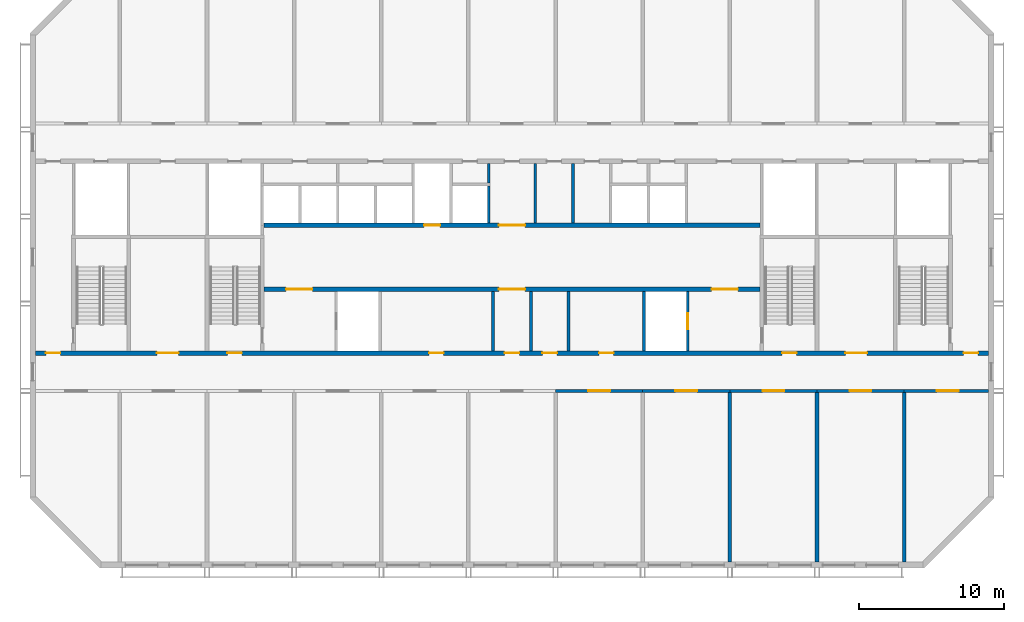
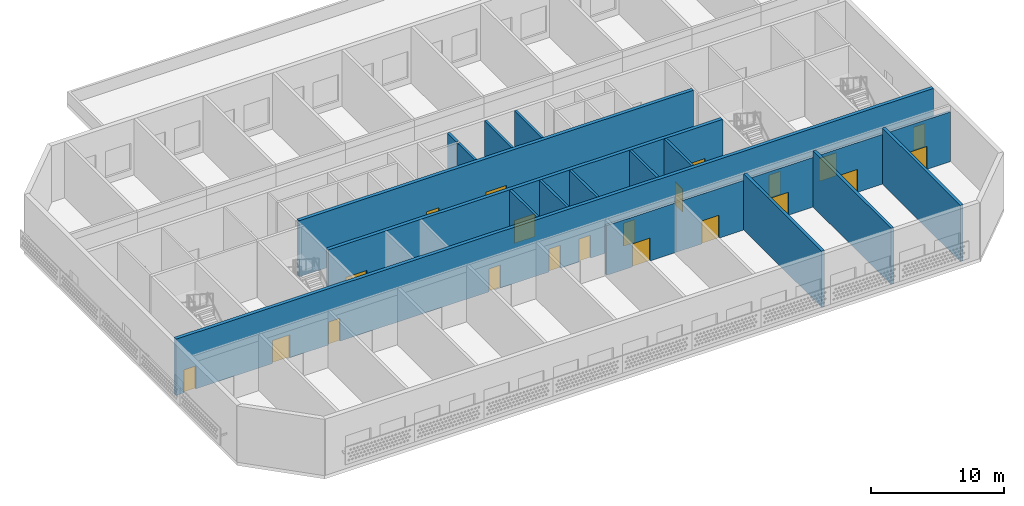
# One storey, part 4 of 18: 21 doors, 20 walls, 21 openings.
"""IFC4 building model written with IfcOpenShell, lengths in metres."""

from ifc_helpers import new_model, si_unit, direction, frame, frame_2d, origin, place, context, subcontext, project, spatial, rectangle, extrude, material, layer, layer_set, type_object, element, fill, save


model = new_model("IFC4")

# Units and contexts
model_context = context("Model", 3, precision=1e-05, world=origin(), true_north=direction((0.0, 1.0)))
body_context = subcontext(model_context, "Body", "Model", "MODEL_VIEW")
ifc_project = project(units=[si_unit("LENGTHUNIT", "METRE"), si_unit("AREAUNIT", "SQUARE_METRE"), si_unit("VOLUMEUNIT", "CUBIC_METRE"), si_unit("PLANEANGLEUNIT", "RADIAN"), si_unit("MASSUNIT", "GRAM", prefix="KILO")], contexts=[model_context])

# Site, building, storey
site_placement = place(None, origin())
site = spatial("IfcSite", under=ifc_project, at=site_placement, CompositionType="ELEMENT")
building_placement = place(site_placement, origin())
building = spatial("IfcBuilding", under=site, at=building_placement, Name="Poui Terraces", CompositionType="ELEMENT")
storey_placement = place(building_placement, frame((0.0, 0.0, 267.0)))
storey = spatial("IfcBuildingStorey", under=building, at=storey_placement, Name="L74", CompositionType="ELEMENT", Elevation=267.0)

# Wall, openings, doors
ifc_material_1 = material(Name="Concrete 50 MPa", Category="concrete")
ifc_layer_1 = layer(ifc_material_1, 0.300048828125)
ifc_layer_set_1 = layer_set([ifc_layer_1], Name="Concrete 50 MPa")
wall_type_1 = type_object("IfcWallType", Name="CORE WALL 300 50 MPA", PredefinedType="SOLIDWALL", material=ifc_layer_set_1)
wall_1_placement = place(storey_placement, frame((33.925048828125, 19.0, 0.0), z_axis=(0.0, 0.0, 1.0), x_axis=(1.0, 0.0, 0.0)))
wall_1 = element("IfcWall", 1, at=wall_1_placement, inside=storey, type_object=wall_type_1, Name="CORE WALL", PredefinedType="SOLIDWALL", context=body_context, shape_type="SweptSolid", body=[
    extrude(rectangle(XDim=34.14990234375, YDim=0.300048828125, at=frame_2d((17.074951171875, 0.0))), origin(), (0.0, 0.0, 1.0), 5.14990234375),
])
opening_1_placement = place(wall_1_placement, frame((16.175048828125, 0.0, 0.0)))
opening_1 = element("IfcOpeningElement", 2, at=opening_1_placement, cuts=wall_1, Name="Opening FDD60", PredefinedType="OPENING", context=body_context, shape_type="SweptSolid", body=[
    extrude(rectangle(XDim=1.800048828125, YDim=2.10009765625, at=frame_2d((0.89990234375, 1.050048828125))), frame((0.0, 0.16015625, 0.0), z_axis=(0.0, -1.0, 0.0), x_axis=(1.0, 0.0, 0.0)), (0.0, 0.0, 1.0), 0.320068359375),
])
opening_2_placement = place(wall_1_placement, frame((1.52490234375, 0.0, 0.0)))
opening_2 = element("IfcOpeningElement", 3, at=opening_2_placement, cuts=wall_1, Name="Opening FDD60", PredefinedType="OPENING", context=body_context, shape_type="SweptSolid", body=[
    extrude(rectangle(XDim=1.800048828125, YDim=2.10009765625, at=frame_2d((0.89990234375, 1.050048828125))), frame((0.0, 0.16015625, 0.0), z_axis=(0.0, -1.0, 0.0), x_axis=(1.0, 0.0, 0.0)), (0.0, 0.0, 1.0), 0.320068359375),
])
opening_3_placement = place(wall_1_placement, frame((30.824951171875, 0.0, 0.0)))
opening_3 = element("IfcOpeningElement", 4, at=opening_3_placement, cuts=wall_1, Name="Opening FDD60", PredefinedType="OPENING", context=body_context, shape_type="SweptSolid", body=[
    extrude(rectangle(XDim=1.800048828125, YDim=2.10009765625, at=frame_2d((0.89990234375, 1.050048828125))), frame((0.0, 0.16015625, 0.0), z_axis=(0.0, -1.0, 0.0), x_axis=(1.0, 0.0, 0.0)), (0.0, 0.0, 1.0), 0.320068359375),
])
ifc_material_2 = material(Name="Steel fire door", Category="steel")
door_type_1 = type_object("IfcDoorType", Name="DOUBLE LOBBY FIRE DOOR 1800 X 2100", OperationType="DOUBLE_DOOR_SINGLE_SWING", PredefinedType="DOOR", material=ifc_material_2)
door_1_placement = place(opening_1_placement, frame((1.800048828125, 0.0, 0.0), z_axis=(0.0, 0.0, 1.0), x_axis=(-1.0, 0.0, 0.0)))
door_1 = element("IfcDoor", 5, at=door_1_placement, inside=storey, type_object=door_type_1, Name="DOUBLE LOBBY FIRE DOOR 055", OperationType="DOUBLE_DOOR_SINGLE_SWING", OverallHeight=2.10009765625, OverallWidth=1.800048828125, PredefinedType="DOOR", context=body_context, shape_type="SweptSolid", body=[
    extrude(rectangle(XDim=1.800048828125, YDim=2.10009765625, at=frame_2d((0.89990234375, 1.050048828125))), frame((0.0, 0.02490234375, 0.0), z_axis=(0.0, -1.0, 0.0), x_axis=(1.0, 0.0, 0.0)), (0.0, 0.0, 1.0), 0.050048828125),
])
fill(opening_1, door_1)
door_2_placement = place(opening_2_placement, origin())
door_2 = element("IfcDoor", 6, at=door_2_placement, inside=storey, type_object=door_type_1, Name="DOUBLE LOBBY FIRE DOOR 056", OperationType="DOUBLE_DOOR_SINGLE_SWING", OverallHeight=2.10009765625, OverallWidth=1.800048828125, PredefinedType="DOOR", context=body_context, shape_type="SweptSolid", body=[
    extrude(rectangle(XDim=1.800048828125, YDim=2.10009765625, at=frame_2d((0.89990234375, 1.050048828125))), frame((0.0, 0.02490234375, 0.0), z_axis=(0.0, -1.0, 0.0), x_axis=(1.0, 0.0, 0.0)), (0.0, 0.0, 1.0), 0.050048828125),
])
fill(opening_2, door_2)
door_3_placement = place(opening_3_placement, origin())
door_3 = element("IfcDoor", 7, at=door_3_placement, inside=storey, type_object=door_type_1, Name="DOUBLE LOBBY FIRE DOOR 058", OperationType="DOUBLE_DOOR_SINGLE_SWING", OverallHeight=2.10009765625, OverallWidth=1.800048828125, PredefinedType="DOOR", context=body_context, shape_type="SweptSolid", body=[
    extrude(rectangle(XDim=1.800048828125, YDim=2.10009765625, at=frame_2d((0.89990234375, 1.050048828125))), frame((0.0, 0.02490234375, 0.0), z_axis=(0.0, -1.0, 0.0), x_axis=(1.0, 0.0, 0.0)), (0.0, 0.0, 1.0), 0.050048828125),
])
fill(opening_3, door_3)

wall_2_placement = place(storey_placement, frame((33.925048828125, 23.39990234375, 0.0), z_axis=(0.0, 0.0, 1.0), x_axis=(1.0, 0.0, 0.0)))
wall_2 = element("IfcWall", 8, at=wall_2_placement, inside=storey, type_object=wall_type_1, Name="CORE WALL", PredefinedType="SOLIDWALL", context=body_context, shape_type="SweptSolid", body=[
    extrude(rectangle(XDim=34.14990234375, YDim=0.300048828125, at=frame_2d((17.074951171875, 0.0))), origin(), (0.0, 0.0, 1.0), 5.14990234375),
])
opening_4_placement = place(wall_2_placement, frame((16.175048828125, 0.0, 0.0)))
opening_4 = element("IfcOpeningElement", 9, at=opening_4_placement, cuts=wall_2, Name="Opening FDD60", PredefinedType="OPENING", context=body_context, shape_type="SweptSolid", body=[
    extrude(rectangle(XDim=1.800048828125, YDim=2.10009765625, at=frame_2d((0.89990234375, 1.050048828125))), frame((0.0, 0.16015625, 0.0), z_axis=(0.0, -1.0, 0.0), x_axis=(1.0, 0.0, 0.0)), (0.0, 0.0, 1.0), 0.320068359375),
])
opening_5_placement = place(wall_2_placement, frame((11.02490234375, 0.0, 0.0)))
opening_5 = element("IfcOpeningElement", 10, at=opening_5_placement, cuts=wall_2, Name="Opening LD", PredefinedType="OPENING", context=body_context, shape_type="SweptSolid", body=[
    extrude(rectangle(XDim=1.10009765625, YDim=2.10009765625, at=frame_2d((0.550048828125, 1.050048828125))), frame((0.0, 0.16015625, 0.0), z_axis=(0.0, -1.0, 0.0), x_axis=(1.0, 0.0, 0.0)), (0.0, 0.0, 1.0), 0.320068359375),
])
door_4_placement = place(opening_4_placement, origin())
door_4 = element("IfcDoor", 11, at=door_4_placement, inside=storey, type_object=door_type_1, Name="DOUBLE LOBBY FIRE DOOR 054", OperationType="DOUBLE_DOOR_SINGLE_SWING", OverallHeight=2.10009765625, OverallWidth=1.800048828125, PredefinedType="DOOR", context=body_context, shape_type="SweptSolid", body=[
    extrude(rectangle(XDim=1.800048828125, YDim=2.10009765625, at=frame_2d((0.89990234375, 1.050048828125))), frame((0.0, 0.02490234375, 0.0), z_axis=(0.0, -1.0, 0.0), x_axis=(1.0, 0.0, 0.0)), (0.0, 0.0, 1.0), 0.050048828125),
])
fill(opening_4, door_4)
ifc_material_3 = material(Name="Stainless steel sliding door", Category="steel")
door_type_2 = type_object("IfcDoorType", Name="LIFT LANDING DOOR 1100 X 2100", OperationType="DOUBLE_DOOR_SLIDING", PredefinedType="DOOR", material=ifc_material_3)
door_5_placement = place(opening_5_placement, origin())
door_5 = element("IfcDoor", 12, at=door_5_placement, inside=storey, type_object=door_type_2, Name="LANDING DOOR", OperationType="DOUBLE_DOOR_SLIDING", OverallHeight=2.10009765625, OverallWidth=1.10009765625, PredefinedType="DOOR", context=body_context, shape_type="SweptSolid", body=[
    extrude(rectangle(XDim=1.10009765625, YDim=2.10009765625, at=frame_2d((0.550048828125, 1.050048828125))), frame((0.0, 0.02490234375, 0.0), z_axis=(0.0, -1.0, 0.0), x_axis=(1.0, 0.0, 0.0)), (0.0, 0.0, 1.0), 0.050048828125),
])
fill(opening_5, door_5)

# Wall, opening, door
ifc_layer_2 = layer(ifc_material_1, 0.199951171875)
ifc_layer_set_2 = layer_set([ifc_layer_2], Name="Concrete 50 MPa")
wall_type_2 = type_object("IfcWallType", Name="CORRIDOR WALL 200 50MPa", PredefinedType="SHEAR", material=ifc_layer_set_2)
wall_3_placement = place(storey_placement, frame((54.0, 12.0, 0.0), z_axis=(0.0, 0.0, 1.0), x_axis=(1.0, 0.0, 0.0)))
wall_3 = element("IfcWall", 13, at=wall_3_placement, inside=storey, type_object=wall_type_2, Name="CORRIDOR WALL LINE B BAY 7", PredefinedType="SHEAR", context=body_context, shape_type="SweptSolid", body=[
    extrude(rectangle(XDim=6.0, YDim=0.199951171875, at=frame_2d((3.0, 0.0))), origin(), (0.0, 0.0, 1.0), 4.550048828125),
])
opening_6_placement = place(wall_3_placement, frame((2.25, 0.0, 0.0)))
opening_6 = element("IfcOpeningElement", 14, at=opening_6_placement, cuts=wall_3, Name="Opening FDP", PredefinedType="OPENING", context=body_context, shape_type="SweptSolid", body=[
    extrude(rectangle(XDim=1.5, YDim=2.10009765625, at=frame_2d((0.75, 1.050048828125))), frame((0.0, 0.10986328125, 0.0), z_axis=(0.0, -1.0, 0.0), x_axis=(1.0, 0.0, 0.0)), (0.0, 0.0, 1.0), 0.219970703125),
])
door_type_3 = type_object("IfcDoorType", Name="PLANT ROOM DOOR PAIR 1500 X 2100", OperationType="DOUBLE_DOOR_SINGLE_SWING", PredefinedType="DOOR", material=ifc_material_2)
door_6_placement = place(opening_6_placement, origin())
door_6 = element("IfcDoor", 15, at=door_6_placement, inside=storey, type_object=door_type_3, Name="PLANT ROOM DOOR PAIR 041", OperationType="DOUBLE_DOOR_SINGLE_SWING", OverallHeight=2.10009765625, OverallWidth=1.5, PredefinedType="DOOR", context=body_context, shape_type="SweptSolid", body=[
    extrude(rectangle(XDim=1.5, YDim=2.10009765625, at=frame_2d((0.75, 1.050048828125))), frame((0.0, 0.02490234375, 0.0), z_axis=(0.0, -1.0, 0.0), x_axis=(1.0, 0.0, 0.0)), (0.0, 0.0, 1.0), 0.050048828125),
])
fill(opening_6, door_6)

wall_4_placement = place(storey_placement, frame((60.0, 12.0, 0.0), z_axis=(0.0, 0.0, 1.0), x_axis=(1.0, 0.0, 0.0)))
wall_4 = element("IfcWall", 16, at=wall_4_placement, inside=storey, type_object=wall_type_2, Name="CORRIDOR WALL LINE B BAY 8", PredefinedType="SHEAR", context=body_context, shape_type="SweptSolid", body=[
    extrude(rectangle(XDim=6.0, YDim=0.199951171875, at=frame_2d((3.0, 0.0))), origin(), (0.0, 0.0, 1.0), 4.550048828125),
])
opening_7_placement = place(wall_4_placement, frame((2.25, 0.0, 0.0)))
opening_7 = element("IfcOpeningElement", 17, at=opening_7_placement, cuts=wall_4, Name="Opening FDP", PredefinedType="OPENING", context=body_context, shape_type="SweptSolid", body=[
    extrude(rectangle(XDim=1.5, YDim=2.10009765625, at=frame_2d((0.75, 1.050048828125))), frame((0.0, 0.10986328125, 0.0), z_axis=(0.0, -1.0, 0.0), x_axis=(1.0, 0.0, 0.0)), (0.0, 0.0, 1.0), 0.219970703125),
])
door_7_placement = place(opening_7_placement, origin())
door_7 = element("IfcDoor", 18, at=door_7_placement, inside=storey, type_object=door_type_3, Name="PLANT ROOM DOOR PAIR 043", OperationType="DOUBLE_DOOR_SINGLE_SWING", OverallHeight=2.10009765625, OverallWidth=1.5, PredefinedType="DOOR", context=body_context, shape_type="SweptSolid", body=[
    extrude(rectangle(XDim=1.5, YDim=2.10009765625, at=frame_2d((0.75, 1.050048828125))), frame((0.0, 0.02490234375, 0.0), z_axis=(0.0, -1.0, 0.0), x_axis=(1.0, 0.0, 0.0)), (0.0, 0.0, 1.0), 0.050048828125),
])
fill(opening_7, door_7)

wall_5_placement = place(storey_placement, frame((66.0, 12.0, 0.0), z_axis=(0.0, 0.0, 1.0), x_axis=(1.0, 0.0, 0.0)))
wall_5 = element("IfcWall", 19, at=wall_5_placement, inside=storey, type_object=wall_type_2, Name="CORRIDOR WALL LINE B BAY 9", PredefinedType="SHEAR", context=body_context, shape_type="SweptSolid", body=[
    extrude(rectangle(XDim=6.0, YDim=0.199951171875, at=frame_2d((3.0, 0.0))), origin(), (0.0, 0.0, 1.0), 4.550048828125),
])
opening_8_placement = place(wall_5_placement, frame((2.25, 0.0, 0.0)))
opening_8 = element("IfcOpeningElement", 20, at=opening_8_placement, cuts=wall_5, Name="Opening FDP", PredefinedType="OPENING", context=body_context, shape_type="SweptSolid", body=[
    extrude(rectangle(XDim=1.5, YDim=2.10009765625, at=frame_2d((0.75, 1.050048828125))), frame((0.0, 0.10986328125, 0.0), z_axis=(0.0, -1.0, 0.0), x_axis=(1.0, 0.0, 0.0)), (0.0, 0.0, 1.0), 0.219970703125),
])
door_8_placement = place(opening_8_placement, origin())
door_8 = element("IfcDoor", 21, at=door_8_placement, inside=storey, type_object=door_type_3, Name="PLANT ROOM DOOR PAIR 044", OperationType="DOUBLE_DOOR_SINGLE_SWING", OverallHeight=2.10009765625, OverallWidth=1.5, PredefinedType="DOOR", context=body_context, shape_type="SweptSolid", body=[
    extrude(rectangle(XDim=1.5, YDim=2.10009765625, at=frame_2d((0.75, 1.050048828125))), frame((0.0, 0.02490234375, 0.0), z_axis=(0.0, -1.0, 0.0), x_axis=(1.0, 0.0, 0.0)), (0.0, 0.0, 1.0), 0.050048828125),
])
fill(opening_8, door_8)

wall_6_placement = place(storey_placement, frame((72.0, 12.0, 0.0), z_axis=(0.0, 0.0, 1.0), x_axis=(1.0, 0.0, 0.0)))
wall_6 = element("IfcWall", 22, at=wall_6_placement, inside=storey, type_object=wall_type_2, Name="CORRIDOR WALL LINE B BAY 10", PredefinedType="SHEAR", context=body_context, shape_type="SweptSolid", body=[
    extrude(rectangle(XDim=6.0, YDim=0.199951171875, at=frame_2d((3.0, 0.0))), origin(), (0.0, 0.0, 1.0), 4.550048828125),
])
opening_9_placement = place(wall_6_placement, frame((2.25, 0.0, 0.0)))
opening_9 = element("IfcOpeningElement", 23, at=opening_9_placement, cuts=wall_6, Name="Opening FDP", PredefinedType="OPENING", context=body_context, shape_type="SweptSolid", body=[
    extrude(rectangle(XDim=1.5, YDim=2.10009765625, at=frame_2d((0.75, 1.050048828125))), frame((0.0, 0.10986328125, 0.0), z_axis=(0.0, -1.0, 0.0), x_axis=(1.0, 0.0, 0.0)), (0.0, 0.0, 1.0), 0.219970703125),
])
door_9_placement = place(opening_9_placement, origin())
door_9 = element("IfcDoor", 24, at=door_9_placement, inside=storey, type_object=door_type_3, Name="PLANT ROOM DOOR PAIR 047", OperationType="DOUBLE_DOOR_SINGLE_SWING", OverallHeight=2.10009765625, OverallWidth=1.5, PredefinedType="DOOR", context=body_context, shape_type="SweptSolid", body=[
    extrude(rectangle(XDim=1.5, YDim=2.10009765625, at=frame_2d((0.75, 1.050048828125))), frame((0.0, 0.02490234375, 0.0), z_axis=(0.0, -1.0, 0.0), x_axis=(1.0, 0.0, 0.0)), (0.0, 0.0, 1.0), 0.050048828125),
])
fill(opening_9, door_9)

wall_7_placement = place(storey_placement, frame((78.0, 12.0, 0.0), z_axis=(0.0, 0.0, 1.0), x_axis=(1.0, 0.0, 0.0)))
wall_7 = element("IfcWall", 25, at=wall_7_placement, inside=storey, type_object=wall_type_2, Name="CORRIDOR WALL LINE B BAY 11", PredefinedType="SHEAR", context=body_context, shape_type="SweptSolid", body=[
    extrude(rectangle(XDim=5.800048828125, YDim=0.199951171875, at=frame_2d((2.89990234375, 0.0))), origin(), (0.0, 0.0, 1.0), 4.550048828125),
])
opening_10_placement = place(wall_7_placement, frame((2.25, 0.0, 0.0)))
opening_10 = element("IfcOpeningElement", 26, at=opening_10_placement, cuts=wall_7, Name="Opening FDP", PredefinedType="OPENING", context=body_context, shape_type="SweptSolid", body=[
    extrude(rectangle(XDim=1.5, YDim=2.10009765625, at=frame_2d((0.75, 1.050048828125))), frame((0.0, 0.10986328125, 0.0), z_axis=(0.0, -1.0, 0.0), x_axis=(1.0, 0.0, 0.0)), (0.0, 0.0, 1.0), 0.219970703125),
])
door_10_placement = place(opening_10_placement, origin())
door_10 = element("IfcDoor", 27, at=door_10_placement, inside=storey, type_object=door_type_3, Name="PLANT ROOM DOOR PAIR 048", OperationType="DOUBLE_DOOR_SINGLE_SWING", OverallHeight=2.10009765625, OverallWidth=1.5, PredefinedType="DOOR", context=body_context, shape_type="SweptSolid", body=[
    extrude(rectangle(XDim=1.5, YDim=2.10009765625, at=frame_2d((0.75, 1.050048828125))), frame((0.0, 0.02490234375, 0.0), z_axis=(0.0, -1.0, 0.0), x_axis=(1.0, 0.0, 0.0)), (0.0, 0.0, 1.0), 0.050048828125),
])
fill(opening_10, door_10)

# Walls
ifc_layer_3 = layer(ifc_material_1, 0.25)
ifc_layer_set_3 = layer_set([ifc_layer_3], Name="Concrete 50 MPa")
wall_type_3 = type_object("IfcWallType", Name="CROSS WALL 250 50MPa", PredefinedType="SHEAR", material=ifc_layer_set_3)
for number, where, z_axis, x_axis, name in (
    (28, (66.0, 0.199951171875, 0.0), (0.0, 0.0, 1.0), (0.0, 1.0, 0.0), "CROSS WALL LINE 12 SOUTH"),
    (29, (72.0, 0.199951171875, 0.0), (0.0, 0.0, 1.0), (0.0, 1.0, 0.0), "CROSS WALL LINE 13 SOUTH"),
    (30, (78.0, 0.199951171875, 0.0), (0.0, 0.0, 1.0), (0.0, 1.0, 0.0), "CROSS WALL LINE 14 SOUTH"),
):
    element("IfcWall", number, at=place(storey_placement, frame(where, z_axis=z_axis, x_axis=x_axis)), inside=storey, type_object=wall_type_3, Name=name, PredefinedType="SHEAR", context=body_context, shape_type="SweptSolid", body=[
        extrude(rectangle(XDim=11.699951171875, YDim=0.25, at=frame_2d((5.85009765625, 0.0))), origin(), (0.0, 0.0, 1.0), 5.14990234375),
    ])
ifc_material_4 = material(Name="Fire-rated masonry wall", Category="masonry")
ifc_layer_4 = layer(ifc_material_4, 0.199951171875)
ifc_layer_set_4 = layer_set([ifc_layer_4], Name="Fire-rated masonry wall")
wall_type_4 = type_object("IfcWallType", Name="PLANT ROOM WALL 200", PredefinedType="PARTITIONING", material=ifc_layer_set_4)
wall_8_placement = place(storey_placement, frame((49.39990234375, 26.300048828125, 0.0), z_axis=(0.0, 0.0, 1.0), x_axis=(0.0, 1.0, 0.0)))
element("IfcWall", 31, at=wall_8_placement, inside=storey, type_object=wall_type_4, Name="PLANT ROOM WALL 200", PredefinedType="PARTITIONING", context=body_context, shape_type="SweptSolid", body=[
    extrude(rectangle(XDim=1.33984375, YDim=0.199951171875, at=frame_2d((0.669921875, 0.0))), origin(), (0.0, 0.0, 1.0), 5.14990234375),
])
for number, where, z_axis, x_axis, name in (
    (32, (49.699951171875, 14.760009765625, 0.0), (0.0, 0.0, 1.0), (0.0, 1.0, 0.0), "PLANT ROOM WALL 200"),
    (33, (52.300048828125, 14.760009765625, 0.0), (0.0, 0.0, 1.0), (0.0, 1.0, 0.0), "PLANT ROOM WALL 200"),
):
    element("IfcWall", number, at=place(storey_placement, frame(where, z_axis=z_axis, x_axis=x_axis)), inside=storey, type_object=wall_type_4, Name=name, PredefinedType="PARTITIONING", context=body_context, shape_type="SweptSolid", body=[
        extrude(rectangle(XDim=4.080078125, YDim=0.199951171875, at=frame_2d((2.0400390625, 0.0))), origin(), (0.0, 0.0, 1.0), 5.14990234375),
    ])
wall_9_placement = place(storey_placement, frame((52.60009765625, 23.56005859375, 0.0), z_axis=(0.0, 0.0, 1.0), x_axis=(0.0, 1.0, 0.0)))
element("IfcWall", 34, at=wall_9_placement, inside=storey, type_object=wall_type_4, Name="PLANT ROOM WALL 200", PredefinedType="PARTITIONING", context=body_context, shape_type="SweptSolid", body=[
    extrude(rectangle(XDim=4.079833984375, YDim=0.199951171875, at=frame_2d((2.0400390625, 0.0))), origin(), (0.0, 0.0, 1.0), 5.14990234375),
])
wall_10_placement = place(storey_placement, frame((54.89990234375, 14.760009765625, 0.0), z_axis=(0.0, 0.0, 1.0), x_axis=(0.0, 1.0, 0.0)))
element("IfcWall", 35, at=wall_10_placement, inside=storey, type_object=wall_type_4, Name="PLANT ROOM WALL 200", PredefinedType="PARTITIONING", context=body_context, shape_type="SweptSolid", body=[
    extrude(rectangle(XDim=4.080078125, YDim=0.199951171875, at=frame_2d((2.0400390625, 0.0))), origin(), (0.0, 0.0, 1.0), 5.14990234375),
])
wall_11_placement = place(storey_placement, frame((55.199951171875, 23.56005859375, 0.0), z_axis=(0.0, 0.0, 1.0), x_axis=(0.0, 1.0, 0.0)))
element("IfcWall", 36, at=wall_11_placement, inside=storey, type_object=wall_type_4, Name="PLANT ROOM WALL 200", PredefinedType="PARTITIONING", context=body_context, shape_type="SweptSolid", body=[
    extrude(rectangle(XDim=4.079833984375, YDim=0.199951171875, at=frame_2d((2.0400390625, 0.0))), origin(), (0.0, 0.0, 1.0), 5.14990234375),
])
ifc_material_5 = material(Name="Fire-rated masonry shaft wall", Category="masonry")
ifc_layer_5 = layer(ifc_material_5, 0.199951171875)
ifc_layer_set_5 = layer_set([ifc_layer_5], Name="Fire-rated masonry shaft wall")
wall_type_5 = type_object("IfcWallType", Name="SHAFT WALL 200", PredefinedType="PARTITIONING", material=ifc_layer_set_5)
wall_12_placement = place(storey_placement, frame((49.39990234375, 23.56005859375, 0.0), z_axis=(0.0, 0.0, 1.0), x_axis=(0.0, 1.0, 0.0)))
element("IfcWall", 37, at=wall_12_placement, inside=storey, type_object=wall_type_5, Name="SHAFT WALL 200", PredefinedType="PARTITIONING", context=body_context, shape_type="SweptSolid", body=[
    extrude(rectangle(XDim=2.5400390625, YDim=0.199951171875, at=frame_2d((1.27001953125, 0.0))), origin(), (0.0, 0.0, 1.0), 5.14990234375),
])
wall_13_placement = place(storey_placement, frame((60.10009765625, 14.760009765625, 0.0), z_axis=(0.0, 0.0, 1.0), x_axis=(0.0, 1.0, 0.0)))
element("IfcWall", 38, at=wall_13_placement, inside=storey, type_object=wall_type_5, Name="SHAFT WALL 200", PredefinedType="PARTITIONING", context=body_context, shape_type="SweptSolid", body=[
    extrude(rectangle(XDim=4.080078125, YDim=0.199951171875, at=frame_2d((2.0400390625, 0.0))), origin(), (0.0, 0.0, 1.0), 5.14990234375),
])

# Wall, opening, door
wall_14_placement = place(storey_placement, frame((63.10009765625, 14.760009765625, 0.0), z_axis=(0.0, 0.0, 1.0), x_axis=(0.0, 1.0, 0.0)))
wall_14 = element("IfcWall", 39, at=wall_14_placement, inside=storey, type_object=wall_type_5, Name="SHAFT WALL 200", PredefinedType="PARTITIONING", context=body_context, shape_type="SweptSolid", body=[
    extrude(rectangle(XDim=4.080078125, YDim=0.199951171875, at=frame_2d((2.0400390625, 0.0))), origin(), (0.0, 0.0, 1.0), 5.14990234375),
])
opening_11_placement = place(wall_14_placement, frame((1.489990234375, 0.0, 0.0)))
opening_11 = element("IfcOpeningElement", 40, at=opening_11_placement, cuts=wall_14, Name="Opening LD", PredefinedType="OPENING", context=body_context, shape_type="SweptSolid", body=[
    extrude(rectangle(XDim=1.10009765625, YDim=2.10009765625, at=frame_2d((0.550048828125, 1.050048828125))), frame((0.0, 0.10986328125, 0.0), z_axis=(0.0, -1.0, 0.0), x_axis=(1.0, 0.0, 0.0)), (0.0, 0.0, 1.0), 0.219970703125),
])
door_11_placement = place(opening_11_placement, origin())
door_11 = element("IfcDoor", 41, at=door_11_placement, inside=storey, type_object=door_type_2, Name="LANDING DOOR", OperationType="DOUBLE_DOOR_SLIDING", OverallHeight=2.10009765625, OverallWidth=1.10009765625, PredefinedType="DOOR", context=body_context, shape_type="SweptSolid", body=[
    extrude(rectangle(XDim=1.10009765625, YDim=2.10009765625, at=frame_2d((0.550048828125, 1.050048828125))), frame((0.0, 0.02490234375, 0.0), z_axis=(0.0, -1.0, 0.0), x_axis=(1.0, 0.0, 0.0)), (0.0, 0.0, 1.0), 0.050048828125),
])
fill(opening_11, door_11)

# Wall, openings, doors
ifc_layer_6 = layer(ifc_material_1, 0.300048828125)
ifc_layer_set_6 = layer_set([ifc_layer_6], Name="Concrete 50 MPa")
wall_type_6 = type_object("IfcWallType", Name="SPINE WALL 300 50 MPA", PredefinedType="SOLIDWALL", material=ifc_layer_set_6)
wall_15_placement = place(storey_placement, frame((18.199951171875, 14.60009765625, 0.0), z_axis=(0.0, 0.0, 1.0), x_axis=(1.0, 0.0, 0.0)))
wall_15 = element("IfcWall", 42, at=wall_15_placement, inside=storey, type_object=wall_type_6, Name="SPINE WALL", PredefinedType="SOLIDWALL", context=body_context, shape_type="SweptSolid", body=[
    extrude(rectangle(XDim=65.60009765625, YDim=0.300048828125, at=frame_2d((32.800048828125, 0.0))), origin(), (0.0, 0.0, 1.0), 5.14990234375),
])
opening_12_placement = place(wall_15_placement, frame((0.699951171875, 0.0, 0.0)))
opening_12 = element("IfcOpeningElement", 43, at=opening_12_placement, cuts=wall_15, Name="Opening FDL", PredefinedType="OPENING", context=body_context, shape_type="SweptSolid", body=[
    extrude(rectangle(XDim=1.0, YDim=2.10009765625, at=frame_2d((0.5, 1.050048828125))), frame((0.0, 0.16015625, 0.0), z_axis=(0.0, -1.0, 0.0), x_axis=(1.0, 0.0, 0.0)), (0.0, 0.0, 1.0), 0.320068359375),
])
opening_13_placement = place(wall_15_placement, frame((8.35009765625, 0.0, 0.0)))
opening_13 = element("IfcOpeningElement", 44, at=opening_13_placement, cuts=wall_15, Name="Opening FDP", PredefinedType="OPENING", context=body_context, shape_type="SweptSolid", body=[
    extrude(rectangle(XDim=1.5, YDim=2.10009765625, at=frame_2d((0.75, 1.050048828125))), frame((0.0, 0.16015625, 0.0), z_axis=(0.0, -1.0, 0.0), x_axis=(1.0, 0.0, 0.0)), (0.0, 0.0, 1.0), 0.320068359375),
])
opening_14_placement = place(wall_15_placement, frame((13.199951171875, 0.0, 0.0)))
opening_14 = element("IfcOpeningElement", 45, at=opening_14_placement, cuts=wall_15, Name="Opening FD60S", PredefinedType="OPENING", context=body_context, shape_type="SweptSolid", body=[
    extrude(rectangle(XDim=1.0, YDim=2.10009765625, at=frame_2d((0.5, 1.050048828125))), frame((0.0, 0.16015625, 0.0), z_axis=(0.0, -1.0, 0.0), x_axis=(1.0, 0.0, 0.0)), (0.0, 0.0, 1.0), 0.320068359375),
])
opening_15_placement = place(wall_15_placement, frame((27.10009765625, 0.0, 0.0)))
opening_15 = element("IfcOpeningElement", 46, at=opening_15_placement, cuts=wall_15, Name="Opening FD60", PredefinedType="OPENING", context=body_context, shape_type="SweptSolid", body=[
    extrude(rectangle(XDim=1.0, YDim=2.10009765625, at=frame_2d((0.5, 1.050048828125))), frame((0.0, 0.16015625, 0.0), z_axis=(0.0, -1.0, 0.0), x_axis=(1.0, 0.0, 0.0)), (0.0, 0.0, 1.0), 0.320068359375),
])
opening_16_placement = place(wall_15_placement, frame((32.300048828125, 0.0, 0.0)))
opening_16 = element("IfcOpeningElement", 47, at=opening_16_placement, cuts=wall_15, Name="Opening FDL", PredefinedType="OPENING", context=body_context, shape_type="SweptSolid", body=[
    extrude(rectangle(XDim=1.0, YDim=2.10009765625, at=frame_2d((0.5, 1.050048828125))), frame((0.0, 0.16015625, 0.0), z_axis=(0.0, -1.0, 0.0), x_axis=(1.0, 0.0, 0.0)), (0.0, 0.0, 1.0), 0.320068359375),
])
opening_17_placement = place(wall_15_placement, frame((34.89990234375, 0.0, 0.0)))
opening_17 = element("IfcOpeningElement", 48, at=opening_17_placement, cuts=wall_15, Name="Opening FD60", PredefinedType="OPENING", context=body_context, shape_type="SweptSolid", body=[
    extrude(rectangle(XDim=1.0, YDim=2.10009765625, at=frame_2d((0.5, 1.050048828125))), frame((0.0, 0.16015625, 0.0), z_axis=(0.0, -1.0, 0.0), x_axis=(1.0, 0.0, 0.0)), (0.0, 0.0, 1.0), 0.320068359375),
])
opening_18_placement = place(wall_15_placement, frame((38.800048828125, 0.0, 0.0)))
opening_18 = element("IfcOpeningElement", 49, at=opening_18_placement, cuts=wall_15, Name="Opening FD60", PredefinedType="OPENING", context=body_context, shape_type="SweptSolid", body=[
    extrude(rectangle(XDim=1.0, YDim=2.10009765625, at=frame_2d((0.5, 1.050048828125))), frame((0.0, 0.16015625, 0.0), z_axis=(0.0, -1.0, 0.0), x_axis=(1.0, 0.0, 0.0)), (0.0, 0.0, 1.0), 0.320068359375),
])
opening_19_placement = place(wall_15_placement, frame((51.39990234375, 0.0, 0.0)))
opening_19 = element("IfcOpeningElement", 50, at=opening_19_placement, cuts=wall_15, Name="Opening FD60S", PredefinedType="OPENING", context=body_context, shape_type="SweptSolid", body=[
    extrude(rectangle(XDim=1.0, YDim=2.10009765625, at=frame_2d((0.5, 1.050048828125))), frame((0.0, 0.16015625, 0.0), z_axis=(0.0, -1.0, 0.0), x_axis=(1.0, 0.0, 0.0)), (0.0, 0.0, 1.0), 0.320068359375),
])
opening_20_placement = place(wall_15_placement, frame((55.75, 0.0, 0.0)))
opening_20 = element("IfcOpeningElement", 51, at=opening_20_placement, cuts=wall_15, Name="Opening FDP", PredefinedType="OPENING", context=body_context, shape_type="SweptSolid", body=[
    extrude(rectangle(XDim=1.5, YDim=2.10009765625, at=frame_2d((0.75, 1.050048828125))), frame((0.0, 0.16015625, 0.0), z_axis=(0.0, -1.0, 0.0), x_axis=(1.0, 0.0, 0.0)), (0.0, 0.0, 1.0), 0.320068359375),
])
opening_21_placement = place(wall_15_placement, frame((63.89990234375, 0.0, 0.0)))
opening_21 = element("IfcOpeningElement", 52, at=opening_21_placement, cuts=wall_15, Name="Opening FDL", PredefinedType="OPENING", context=body_context, shape_type="SweptSolid", body=[
    extrude(rectangle(XDim=1.0, YDim=2.10009765625, at=frame_2d((0.5, 1.050048828125))), frame((0.0, 0.16015625, 0.0), z_axis=(0.0, -1.0, 0.0), x_axis=(1.0, 0.0, 0.0)), (0.0, 0.0, 1.0), 0.320068359375),
])
door_type_4 = type_object("IfcDoorType", Name="LOBBY FIRE DOOR 1000 X 2100", OperationType="NOTDEFINED", PredefinedType="DOOR", material=ifc_material_2)
door_12_placement = place(opening_12_placement, frame((1.0, 0.0, 0.0), z_axis=(0.0, 0.0, 1.0), x_axis=(-1.0, 0.0, 0.0)))
door_12 = element("IfcDoor", 53, at=door_12_placement, inside=storey, type_object=door_type_4, Name="LOBBY FIRE DOOR 029", OperationType="SINGLE_SWING_RIGHT", OverallHeight=2.10009765625, OverallWidth=1.0, PredefinedType="DOOR", context=body_context, shape_type="SweptSolid", body=[
    extrude(rectangle(XDim=1.0, YDim=2.10009765625, at=frame_2d((0.5, 1.050048828125))), frame((0.0, 0.02490234375, 0.0), z_axis=(0.0, -1.0, 0.0), x_axis=(1.0, 0.0, 0.0)), (0.0, 0.0, 1.0), 0.050048828125),
])
fill(opening_12, door_12)
door_13_placement = place(opening_16_placement, frame((1.0, 0.0, 0.0), z_axis=(0.0, 0.0, 1.0), x_axis=(-1.0, 0.0, 0.0)))
door_13 = element("IfcDoor", 54, at=door_13_placement, inside=storey, type_object=door_type_4, Name="LOBBY FIRE DOOR 039", OperationType="SINGLE_SWING_LEFT", OverallHeight=2.10009765625, OverallWidth=1.0, PredefinedType="DOOR", context=body_context, shape_type="SweptSolid", body=[
    extrude(rectangle(XDim=1.0, YDim=2.10009765625, at=frame_2d((0.5, 1.050048828125))), frame((0.0, 0.02490234375, 0.0), z_axis=(0.0, -1.0, 0.0), x_axis=(1.0, 0.0, 0.0)), (0.0, 0.0, 1.0), 0.050048828125),
])
fill(opening_16, door_13)
door_14_placement = place(opening_21_placement, frame((1.0, 0.0, 0.0), z_axis=(0.0, 0.0, 1.0), x_axis=(-1.0, 0.0, 0.0)))
door_14 = element("IfcDoor", 55, at=door_14_placement, inside=storey, type_object=door_type_4, Name="LOBBY FIRE DOOR 049", OperationType="SINGLE_SWING_LEFT", OverallHeight=2.10009765625, OverallWidth=1.0, PredefinedType="DOOR", context=body_context, shape_type="SweptSolid", body=[
    extrude(rectangle(XDim=1.0, YDim=2.10009765625, at=frame_2d((0.5, 1.050048828125))), frame((0.0, 0.02490234375, 0.0), z_axis=(0.0, -1.0, 0.0), x_axis=(1.0, 0.0, 0.0)), (0.0, 0.0, 1.0), 0.050048828125),
])
fill(opening_21, door_14)
door_15_placement = place(opening_13_placement, frame((1.5, 0.0, 0.0), z_axis=(0.0, 0.0, 1.0), x_axis=(-1.0, 0.0, 0.0)))
door_15 = element("IfcDoor", 56, at=door_15_placement, inside=storey, type_object=door_type_3, Name="PLANT ROOM DOOR PAIR 032", OperationType="DOUBLE_DOOR_SINGLE_SWING", OverallHeight=2.10009765625, OverallWidth=1.5, PredefinedType="DOOR", context=body_context, shape_type="SweptSolid", body=[
    extrude(rectangle(XDim=1.5, YDim=2.10009765625, at=frame_2d((0.75, 1.050048828125))), frame((0.0, 0.02490234375, 0.0), z_axis=(0.0, -1.0, 0.0), x_axis=(1.0, 0.0, 0.0)), (0.0, 0.0, 1.0), 0.050048828125),
])
fill(opening_13, door_15)
door_16_placement = place(opening_20_placement, frame((1.5, 0.0, 0.0), z_axis=(0.0, 0.0, 1.0), x_axis=(-1.0, 0.0, 0.0)))
door_16 = element("IfcDoor", 57, at=door_16_placement, inside=storey, type_object=door_type_3, Name="PLANT ROOM DOOR PAIR 046", OperationType="DOUBLE_DOOR_SINGLE_SWING", OverallHeight=2.10009765625, OverallWidth=1.5, PredefinedType="DOOR", context=body_context, shape_type="SweptSolid", body=[
    extrude(rectangle(XDim=1.5, YDim=2.10009765625, at=frame_2d((0.75, 1.050048828125))), frame((0.0, 0.02490234375, 0.0), z_axis=(0.0, -1.0, 0.0), x_axis=(1.0, 0.0, 0.0)), (0.0, 0.0, 1.0), 0.050048828125),
])
fill(opening_20, door_16)
door_type_5 = type_object("IfcDoorType", Name="SERVICE ROOM FIRE DOOR 1000 X 2100", OperationType="NOTDEFINED", PredefinedType="DOOR", material=ifc_material_2)
door_17_placement = place(opening_15_placement, frame((1.0, 0.0, 0.0), z_axis=(0.0, 0.0, 1.0), x_axis=(-1.0, 0.0, 0.0)))
door_17 = element("IfcDoor", 58, at=door_17_placement, inside=storey, type_object=door_type_5, Name="SERVICE ROOM FIRE DOOR 037", OperationType="SINGLE_SWING_LEFT", OverallHeight=2.10009765625, OverallWidth=1.0, PredefinedType="DOOR", context=body_context, shape_type="SweptSolid", body=[
    extrude(rectangle(XDim=1.0, YDim=2.10009765625, at=frame_2d((0.5, 1.050048828125))), frame((0.0, 0.02490234375, 0.0), z_axis=(0.0, -1.0, 0.0), x_axis=(1.0, 0.0, 0.0)), (0.0, 0.0, 1.0), 0.050048828125),
])
fill(opening_15, door_17)
door_18_placement = place(opening_17_placement, frame((1.0, 0.0, 0.0), z_axis=(0.0, 0.0, 1.0), x_axis=(-1.0, 0.0, 0.0)))
door_18 = element("IfcDoor", 59, at=door_18_placement, inside=storey, type_object=door_type_5, Name="SERVICE ROOM FIRE DOOR 040", OperationType="SINGLE_SWING_RIGHT", OverallHeight=2.10009765625, OverallWidth=1.0, PredefinedType="DOOR", context=body_context, shape_type="SweptSolid", body=[
    extrude(rectangle(XDim=1.0, YDim=2.10009765625, at=frame_2d((0.5, 1.050048828125))), frame((0.0, 0.02490234375, 0.0), z_axis=(0.0, -1.0, 0.0), x_axis=(1.0, 0.0, 0.0)), (0.0, 0.0, 1.0), 0.050048828125),
])
fill(opening_17, door_18)
door_19_placement = place(opening_18_placement, frame((1.0, 0.0, 0.0), z_axis=(0.0, 0.0, 1.0), x_axis=(-1.0, 0.0, 0.0)))
door_19 = element("IfcDoor", 60, at=door_19_placement, inside=storey, type_object=door_type_5, Name="SERVICE ROOM FIRE DOOR 042", OperationType="SINGLE_SWING_LEFT", OverallHeight=2.10009765625, OverallWidth=1.0, PredefinedType="DOOR", context=body_context, shape_type="SweptSolid", body=[
    extrude(rectangle(XDim=1.0, YDim=2.10009765625, at=frame_2d((0.5, 1.050048828125))), frame((0.0, 0.02490234375, 0.0), z_axis=(0.0, -1.0, 0.0), x_axis=(1.0, 0.0, 0.0)), (0.0, 0.0, 1.0), 0.050048828125),
])
fill(opening_18, door_19)
door_type_6 = type_object("IfcDoorType", Name="STAIR DOOR 1000 X 2100", OperationType="NOTDEFINED", PredefinedType="DOOR", material=ifc_material_2)
door_20_placement = place(opening_14_placement, origin())
door_20 = element("IfcDoor", 61, at=door_20_placement, inside=storey, type_object=door_type_6, Name="STAIR DOOR 033", OperationType="SINGLE_SWING_RIGHT", OverallHeight=2.10009765625, OverallWidth=1.0, PredefinedType="DOOR", context=body_context, shape_type="SweptSolid", body=[
    extrude(rectangle(XDim=1.0, YDim=2.10009765625, at=frame_2d((0.5, 1.050048828125))), frame((0.0, 0.02490234375, 0.0), z_axis=(0.0, -1.0, 0.0), x_axis=(1.0, 0.0, 0.0)), (0.0, 0.0, 1.0), 0.050048828125),
])
fill(opening_14, door_20)
door_21_placement = place(opening_19_placement, origin())
door_21 = element("IfcDoor", 62, at=door_21_placement, inside=storey, type_object=door_type_6, Name="STAIR DOOR 045", OperationType="SINGLE_SWING_RIGHT", OverallHeight=2.10009765625, OverallWidth=1.0, PredefinedType="DOOR", context=body_context, shape_type="SweptSolid", body=[
    extrude(rectangle(XDim=1.0, YDim=2.10009765625, at=frame_2d((0.5, 1.050048828125))), frame((0.0, 0.02490234375, 0.0), z_axis=(0.0, -1.0, 0.0), x_axis=(1.0, 0.0, 0.0)), (0.0, 0.0, 1.0), 0.050048828125),
])
fill(opening_19, door_21)

save(model, "model.ifc")
